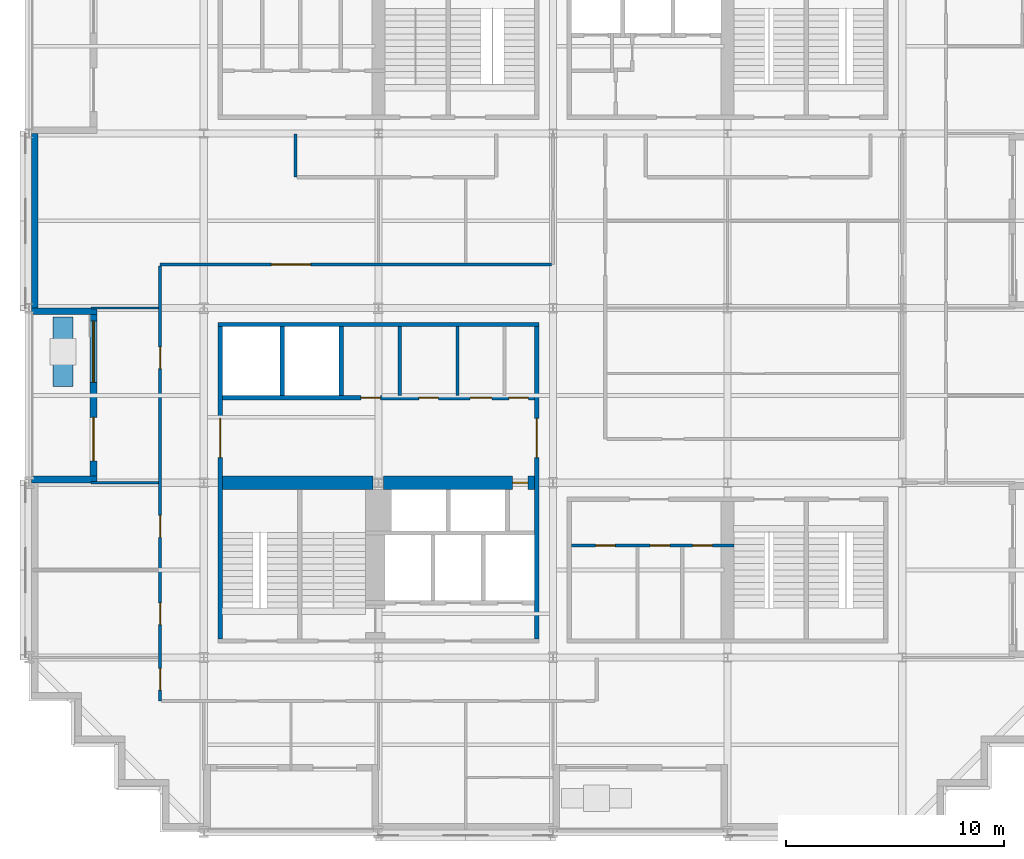
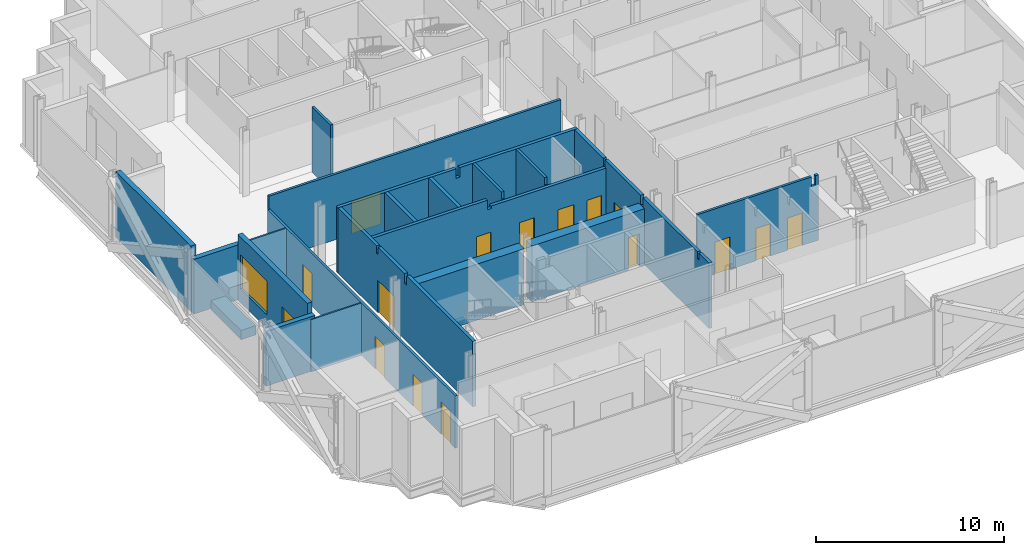
# One storey, part 6 of 15: 21 walls, 16 doors, 1 window, 17 openings.
"""IFC4 building model written with IfcOpenShell, lengths in metres."""

from ifc_helpers import new_model, si_unit, direction, frame, frame_2d, origin, place, context, subcontext, project, spatial, polyline, rectangle, outline, extrude, material, layer, layer_set, type_object, element, fill, save


model = new_model("IFC4")

# Units and contexts
model_context = context("Model", 3, precision=1e-05, world=origin(), true_north=direction((0.0, 1.0)))
body_context = subcontext(model_context, "Body", "Model", "MODEL_VIEW")
ifc_project = project(units=[si_unit("LENGTHUNIT", "METRE"), si_unit("AREAUNIT", "SQUARE_METRE"), si_unit("VOLUMEUNIT", "CUBIC_METRE"), si_unit("PLANEANGLEUNIT", "RADIAN"), si_unit("MASSUNIT", "GRAM", prefix="KILO")], contexts=[model_context])

# Site, building, storey
site_placement = place(None, origin())
site = spatial("IfcSite", under=ifc_project, at=site_placement, CompositionType="ELEMENT")
building_placement = place(site_placement, origin())
building = spatial("IfcBuilding", under=site, at=building_placement, Name="Immortelle Media Tower", CompositionType="ELEMENT")
storey_placement = place(building_placement, frame((0.0, 0.0, 61.199951171875)))
storey = spatial("IfcBuildingStorey", under=building, at=storey_placement, Name="L10", CompositionType="ELEMENT", Elevation=61.199951171875)

# Wall, opening, door
ifc_material_1 = material(Name="Fire-rated masonry blockwork", Category="masonry")
ifc_layer_1 = layer(ifc_material_1, 0.60009765625)
ifc_layer_set_1 = layer_set([ifc_layer_1], Name="Fire-rated masonry blockwork")
wall_type_1 = type_object("IfcWallType", Name="Core grid-line wall 600", PredefinedType="PARTITIONING", material=ifc_layer_set_1)
wall_1_placement = place(storey_placement, frame((16.237548828125, 16.0, 0.0), z_axis=(0.0, 0.0, 1.0), x_axis=(1.0, 0.0, 0.0)))
wall_1 = element("IfcWall", 1, at=wall_1_placement, inside=storey, type_object=wall_type_1, Name="Core grid-line wall SW", PredefinedType="PARTITIONING", context=body_context, shape_type="SweptSolid", body=[
    extrude(rectangle(XDim=6.912353515625, YDim=0.60009765625, at=frame_2d((3.4560546875, 0.0))), origin(), (0.0, 0.0, 1.0), 3.632080078125),
])
opening_1_placement = place(wall_1_placement, frame((6.612548828125, 0.0, 0.0), z_axis=(0.0, 0.0, 1.0), x_axis=(-1.0, 0.0, 0.0)))
opening_1 = element("IfcOpeningElement", 2, at=opening_1_placement, cuts=wall_1, Name="Opening N3-K013", PredefinedType="OPENING", context=body_context, shape_type="SweptSolid", body=[
    extrude(rectangle(XDim=0.699951171875, YDim=2.10009765625, at=frame_2d((0.35009765625, 1.050048828125))), frame((0.0, 0.31005859375, 0.0), z_axis=(0.0, -1.0, 0.0), x_axis=(1.0, 0.0, 0.0)), (0.0, 0.0, 1.0), 0.6201171875),
])
ifc_material_2 = material(Name="Galvanised steel door leaf and frame ASTM A653", Category="steel")
door_type_1 = type_object("IfcDoorType", Name="Service door 700 x 2100", OperationType="NOTDEFINED", PredefinedType="NOTDEFINED", material=ifc_material_2)
door_1_placement = place(opening_1_placement, origin())
door_1 = element("IfcDoor", 3, at=door_1_placement, inside=storey, type_object=door_type_1, Name="Service N3-K013", OperationType="SINGLE_SWING_RIGHT", OverallHeight=2.10009765625, OverallWidth=0.699951171875, PredefinedType="NOTDEFINED", context=body_context, shape_type="SweptSolid", body=[
    extrude(rectangle(XDim=0.699951171875, YDim=2.10009765625, at=frame_2d((0.35009765625, 1.050048828125))), frame((0.0, 0.02490234375, 0.0), z_axis=(0.0, -1.0, 0.0), x_axis=(1.0, 0.0, 0.0)), (0.0, 0.0, 1.0), 0.050048828125),
])
fill(opening_1, door_1)

# Walls
ifc_material_3 = material(Name="Fire-rated gypsum board", Category="gypsum")
ifc_layer_2 = layer(ifc_material_3, 0.02490234375)
ifc_material_4 = material(Name="Steel ASTM A653 SS Gr 50 stud frame with mineral wool", Category="steel")
ifc_layer_3 = layer(ifc_material_4, 0.10009765625)
ifc_layer_4 = layer(ifc_material_3, 0.02490234375)
ifc_layer_set_2 = layer_set([ifc_layer_2, ifc_layer_3, ifc_layer_4], Name="Steel ASTM A653 SS Gr 50 stud frame with mineral wool")
wall_type_2 = type_object("IfcWallType", Name="Core partition 150", PredefinedType="PARTITIONING", material=ifc_layer_set_2)
for number, where, z_axis, x_axis, name in (
    (4, (16.97509765625, 20.0, 0.0), (0.0, 0.0, 1.0), (0.0, 1.0, 0.0), "Core partition SW"),
    (5, (19.625, 20.0, 0.0), (0.0, 0.0, 1.0), (0.0, 1.0, 0.0), "Core partition SW"),
):
    element("IfcWall", number, at=place(storey_placement, frame(where, z_axis=z_axis, x_axis=x_axis)), inside=storey, type_object=wall_type_2, Name=name, PredefinedType="PARTITIONING", context=body_context, shape_type="SweptSolid", body=[
        extrude(outline(polyline([(0.0, 0.0), (3.14990234375, 0.0), (3.14990234375, 4.25), (0.08154296875, 4.25), (0.08056640625, 3.7890625), (0.0, 3.7890625), (0.0, 0.0)])), frame((0.0, 0.074951171875, 0.0), z_axis=(0.0, -1.0, 0.0), x_axis=(1.0, 0.0, 0.0)), (0.0, 0.0, 1.0), 0.14990234375),
    ])

# Wall, openings, doors
wall_2_placement = place(storey_placement, frame((24.85009765625, 13.125, 0.0), z_axis=(0.0, 0.0, 1.0), x_axis=(1.0, 0.0, 0.0)))
wall_2 = element("IfcWall", 6, at=wall_2_placement, inside=storey, type_object=wall_type_2, Name="Core partition SE", PredefinedType="PARTITIONING", context=body_context, shape_type="SweptSolid", body=[
    extrude(outline(polyline([(0.0, 0.0), (7.449951171875, 0.0), (7.449951171875, 4.25), (7.26953125, 4.25), (7.2685546875, 3.632080078125), (7.031494140625, 3.632080078125), (7.030517578125, 4.25), (0.0, 4.25), (0.0, 0.0)])), frame((0.0, 0.074951171875, 0.0), z_axis=(0.0, -1.0, 0.0), x_axis=(1.0, 0.0, 0.0)), (0.0, 0.0, 1.0), 0.14990234375),
])
opening_2_placement = place(wall_2_placement, frame((2.0, 0.0, 0.0), z_axis=(0.0, 0.0, 1.0), x_axis=(-1.0, 0.0, 0.0)))
opening_2 = element("IfcOpeningElement", 7, at=opening_2_placement, cuts=wall_2, Name="Opening N3-K015", PredefinedType="OPENING", context=body_context, shape_type="SweptSolid", body=[
    extrude(rectangle(XDim=0.89990234375, YDim=2.10009765625, at=frame_2d((0.449951171875, 1.050048828125))), frame((0.0, 0.0849609375, 0.0), z_axis=(0.0, -1.0, 0.0), x_axis=(1.0, 0.0, 0.0)), (0.0, 0.0, 1.0), 0.169921875),
])
opening_3_placement = place(wall_2_placement, frame((4.5, 0.0, 0.0), z_axis=(0.0, 0.0, 1.0), x_axis=(-1.0, 0.0, 0.0)))
opening_3 = element("IfcOpeningElement", 8, at=opening_3_placement, cuts=wall_2, Name="Opening N3-K017", PredefinedType="OPENING", context=body_context, shape_type="SweptSolid", body=[
    extrude(rectangle(XDim=0.89990234375, YDim=2.10009765625, at=frame_2d((0.449951171875, 1.050048828125))), frame((0.0, 0.0849609375, 0.0), z_axis=(0.0, -1.0, 0.0), x_axis=(1.0, 0.0, 0.0)), (0.0, 0.0, 1.0), 0.169921875),
])
opening_4_placement = place(wall_2_placement, frame((6.449951171875, 0.0, 0.0), z_axis=(0.0, 0.0, 1.0), x_axis=(-1.0, 0.0, 0.0)))
opening_4 = element("IfcOpeningElement", 9, at=opening_4_placement, cuts=wall_2, Name="Opening N3-K018", PredefinedType="OPENING", context=body_context, shape_type="SweptSolid", body=[
    extrude(rectangle(XDim=0.89990234375, YDim=2.10009765625, at=frame_2d((0.449951171875, 1.050048828125))), frame((0.0, 0.0849609375, 0.0), z_axis=(0.0, -1.0, 0.0), x_axis=(1.0, 0.0, 0.0)), (0.0, 0.0, 1.0), 0.169921875),
])
ifc_material_5 = material(Name="Timber", Category="wood")
door_type_2 = type_object("IfcDoorType", Name="Room door 900 x 2100", OperationType="NOTDEFINED", PredefinedType="NOTDEFINED", material=ifc_material_5)
door_2_placement = place(opening_2_placement, origin())
door_2 = element("IfcDoor", 10, at=door_2_placement, inside=storey, type_object=door_type_2, Name="Room N3-K015", OperationType="SINGLE_SWING_LEFT", OverallHeight=2.10009765625, OverallWidth=0.89990234375, PredefinedType="NOTDEFINED", context=body_context, shape_type="SweptSolid", body=[
    extrude(rectangle(XDim=0.89990234375, YDim=2.10009765625, at=frame_2d((0.449951171875, 1.050048828125))), frame((0.0, 0.02490234375, 0.0), z_axis=(0.0, -1.0, 0.0), x_axis=(1.0, 0.0, 0.0)), (0.0, 0.0, 1.0), 0.050048828125),
])
fill(opening_2, door_2)
door_3_placement = place(opening_3_placement, origin())
door_3 = element("IfcDoor", 11, at=door_3_placement, inside=storey, type_object=door_type_2, Name="Room N3-K017", OperationType="SINGLE_SWING_RIGHT", OverallHeight=2.10009765625, OverallWidth=0.89990234375, PredefinedType="NOTDEFINED", context=body_context, shape_type="SweptSolid", body=[
    extrude(rectangle(XDim=0.89990234375, YDim=2.10009765625, at=frame_2d((0.449951171875, 1.050048828125))), frame((0.0, 0.02490234375, 0.0), z_axis=(0.0, -1.0, 0.0), x_axis=(1.0, 0.0, 0.0)), (0.0, 0.0, 1.0), 0.050048828125),
])
fill(opening_3, door_3)
door_type_3 = type_object("IfcDoorType", Name="Service door 900 x 2100", OperationType="NOTDEFINED", PredefinedType="NOTDEFINED", material=ifc_material_2)
door_4_placement = place(opening_4_placement, origin())
door_4 = element("IfcDoor", 12, at=door_4_placement, inside=storey, type_object=door_type_3, Name="Service N3-K018", OperationType="SINGLE_SWING_RIGHT", OverallHeight=2.10009765625, OverallWidth=0.89990234375, PredefinedType="NOTDEFINED", context=body_context, shape_type="SweptSolid", body=[
    extrude(rectangle(XDim=0.89990234375, YDim=2.10009765625, at=frame_2d((0.449951171875, 1.050048828125))), frame((0.0, 0.02490234375, 0.0), z_axis=(0.0, -1.0, 0.0), x_axis=(1.0, 0.0, 0.0)), (0.0, 0.0, 1.0), 0.050048828125),
])
fill(opening_4, door_4)

# Wall
ifc_layer_5 = layer(ifc_material_3, 0.03759765625)
ifc_layer_6 = layer(ifc_material_4, 0.125)
ifc_layer_7 = layer(ifc_material_3, 0.03759765625)
ifc_layer_set_3 = layer_set([ifc_layer_5, ifc_layer_6, ifc_layer_7], Name="Steel ASTM A653 SS Gr 50 stud frame with mineral wool")
wall_type_3 = type_object("IfcWallType", Name="Core shaft wall 200", PredefinedType="PARTITIONING", material=ifc_layer_set_3)
wall_3_placement = place(storey_placement, frame((8.64990234375, 23.25, 0.0), z_axis=(0.0, 0.0, 1.0), x_axis=(1.0, 0.0, 0.0)))
element("IfcWall", 13, at=wall_3_placement, inside=storey, type_object=wall_type_3, Name="Core shaft wall SW", PredefinedType="PARTITIONING", context=body_context, shape_type="SweptSolid", body=[
    extrude(outline(polyline([(0.0, 0.0), (14.7001953125, 0.0), (14.699951171875, 4.25), (7.469482421875, 4.25), (7.468505859375, 3.632080078125), (7.2314453125, 3.632080078125), (7.23046875, 4.25), (0.0, 4.25), (0.0, 0.0)])), frame((0.0, 0.10009765625, 0.0), z_axis=(0.0, -1.0, 0.0), x_axis=(1.0, 0.0, 0.0)), (0.0, 0.0, 1.0), 0.199951171875),
])

# Wall, openings, doors
wall_4_placement = place(storey_placement, frame((8.85009765625, 19.89990234375, 0.0), z_axis=(0.0, 0.0, 1.0), x_axis=(1.0, 0.0, 0.0)))
wall_4 = element("IfcWall", 14, at=wall_4_placement, inside=storey, type_object=wall_type_3, Name="Core shaft wall SW", PredefinedType="PARTITIONING", context=body_context, shape_type="SweptSolid", body=[
    extrude(outline(polyline([(0.0, 0.0), (14.2998046875, 0.0), (14.300048828125, 3.7890625), (7.26953125, 3.7890625), (7.2685546875, 3.632080078125), (7.031494140625, 3.632080078125), (7.030517578125, 4.25), (0.0, 4.25), (0.0, 0.0)])), frame((0.0, 0.10009765625, 0.0), z_axis=(0.0, -1.0, 0.0), x_axis=(1.0, 0.0, 0.0)), (0.0, 0.0, 1.0), 0.199951171875),
])
opening_5_placement = place(wall_4_placement, frame((6.35009765625, 0.0, 0.0)))
opening_5 = element("IfcOpeningElement", 15, at=opening_5_placement, cuts=wall_4, Name="Opening N3-K004", PredefinedType="OPENING", context=body_context, shape_type="SweptSolid", body=[
    extrude(rectangle(XDim=0.89990234375, YDim=2.10009765625, at=frame_2d((0.449951171875, 1.050048828125))), frame((0.0, 0.10986328125, 0.0), z_axis=(0.0, -1.0, 0.0), x_axis=(1.0, 0.0, 0.0)), (0.0, 0.0, 1.0), 0.219970703125),
])
opening_6_placement = place(wall_4_placement, frame((9.0, 0.0, 0.0)))
opening_6 = element("IfcOpeningElement", 16, at=opening_6_placement, cuts=wall_4, Name="Opening N3-K007", PredefinedType="OPENING", context=body_context, shape_type="SweptSolid", body=[
    extrude(rectangle(XDim=0.89990234375, YDim=2.10009765625, at=frame_2d((0.449951171875, 1.050048828125))), frame((0.0, 0.10986328125, 0.0), z_axis=(0.0, -1.0, 0.0), x_axis=(1.0, 0.0, 0.0)), (0.0, 0.0, 1.0), 0.219970703125),
])
opening_7_placement = place(wall_4_placement, frame((11.35009765625, 0.0, 0.0)))
opening_7 = element("IfcOpeningElement", 17, at=opening_7_placement, cuts=wall_4, Name="Opening N3-K010", PredefinedType="OPENING", context=body_context, shape_type="SweptSolid", body=[
    extrude(rectangle(XDim=1.0, YDim=2.10009765625, at=frame_2d((0.5, 1.050048828125))), frame((0.0, 0.10986328125, 0.0), z_axis=(0.0, -1.0, 0.0), x_axis=(1.0, 0.0, 0.0)), (0.0, 0.0, 1.0), 0.219970703125),
])
opening_8_placement = place(wall_4_placement, frame((13.125, 0.0, 0.0)))
opening_8 = element("IfcOpeningElement", 18, at=opening_8_placement, cuts=wall_4, Name="Opening N3-K012", PredefinedType="OPENING", context=body_context, shape_type="SweptSolid", body=[
    extrude(rectangle(XDim=0.89990234375, YDim=2.10009765625, at=frame_2d((0.449951171875, 1.050048828125))), frame((0.0, 0.10986328125, 0.0), z_axis=(0.0, -1.0, 0.0), x_axis=(1.0, 0.0, 0.0)), (0.0, 0.0, 1.0), 0.219970703125),
])
door_type_4 = type_object("IfcDoorType", Name="Accessible toilet door 1000 x 2100", OperationType="NOTDEFINED", PredefinedType="NOTDEFINED", material=ifc_material_5)
door_5_placement = place(opening_7_placement, origin())
door_5 = element("IfcDoor", 19, at=door_5_placement, inside=storey, type_object=door_type_4, Name="Accessible toilet N3-K010", OperationType="SINGLE_SWING_LEFT", OverallHeight=2.10009765625, OverallWidth=1.0, PredefinedType="NOTDEFINED", context=body_context, shape_type="SweptSolid", body=[
    extrude(rectangle(XDim=1.0, YDim=2.10009765625, at=frame_2d((0.5, 1.050048828125))), frame((0.0, 0.02490234375, 0.0), z_axis=(0.0, -1.0, 0.0), x_axis=(1.0, 0.0, 0.0)), (0.0, 0.0, 1.0), 0.050048828125),
])
fill(opening_7, door_5)
door_6_placement = place(opening_8_placement, origin())
door_6 = element("IfcDoor", 20, at=door_6_placement, inside=storey, type_object=door_type_3, Name="Service N3-K012", OperationType="SINGLE_SWING_LEFT", OverallHeight=2.10009765625, OverallWidth=0.89990234375, PredefinedType="NOTDEFINED", context=body_context, shape_type="SweptSolid", body=[
    extrude(rectangle(XDim=0.89990234375, YDim=2.10009765625, at=frame_2d((0.449951171875, 1.050048828125))), frame((0.0, 0.02490234375, 0.0), z_axis=(0.0, -1.0, 0.0), x_axis=(1.0, 0.0, 0.0)), (0.0, 0.0, 1.0), 0.050048828125),
])
fill(opening_8, door_6)
door_type_5 = type_object("IfcDoorType", Name="Toilet door 900 x 2100", OperationType="NOTDEFINED", PredefinedType="NOTDEFINED", material=ifc_material_5)
door_7_placement = place(opening_5_placement, origin())
door_7 = element("IfcDoor", 21, at=door_7_placement, inside=storey, type_object=door_type_5, Name="Toilet N3-K004", OperationType="SINGLE_SWING_LEFT", OverallHeight=2.10009765625, OverallWidth=0.89990234375, PredefinedType="NOTDEFINED", context=body_context, shape_type="SweptSolid", body=[
    extrude(rectangle(XDim=0.89990234375, YDim=2.10009765625, at=frame_2d((0.449951171875, 1.050048828125))), frame((0.0, 0.02490234375, 0.0), z_axis=(0.0, -1.0, 0.0), x_axis=(1.0, 0.0, 0.0)), (0.0, 0.0, 1.0), 0.050048828125),
])
fill(opening_5, door_7)
door_8_placement = place(opening_6_placement, origin())
door_8 = element("IfcDoor", 22, at=door_8_placement, inside=storey, type_object=door_type_5, Name="Toilet N3-K007", OperationType="SINGLE_SWING_LEFT", OverallHeight=2.10009765625, OverallWidth=0.89990234375, PredefinedType="NOTDEFINED", context=body_context, shape_type="SweptSolid", body=[
    extrude(rectangle(XDim=0.89990234375, YDim=2.10009765625, at=frame_2d((0.449951171875, 1.050048828125))), frame((0.0, 0.02490234375, 0.0), z_axis=(0.0, -1.0, 0.0), x_axis=(1.0, 0.0, 0.0)), (0.0, 0.0, 1.0), 0.050048828125),
])
fill(opening_6, door_8)

# Walls
for number, where, z_axis, x_axis, name in (
    (23, (11.60009765625, 20.0, 0.0), (0.0, 0.0, 1.0), (0.0, 1.0, 0.0), "Core shaft wall SW"),
    (24, (14.300048828125, 20.0, 0.0), (0.0, 0.0, 1.0), (0.0, 1.0, 0.0), "Core shaft wall SW"),
):
    element("IfcWall", number, at=place(storey_placement, frame(where, z_axis=z_axis, x_axis=x_axis)), inside=storey, type_object=wall_type_3, Name=name, PredefinedType="PARTITIONING", context=body_context, shape_type="SweptSolid", body=[
        extrude(rectangle(XDim=3.14990234375, YDim=0.199951171875, at=frame_2d((1.574951171875, 0.0))), origin(), (0.0, 0.0, 1.0), 4.25),
    ])

# Wall, opening, door
wall_5_placement = place(storey_placement, frame((23.25, 8.85009765625, 0.0), z_axis=(0.0, 0.0, 1.0), x_axis=(0.0, 1.0, 0.0)))
wall_5 = element("IfcWall", 25, at=wall_5_placement, inside=storey, type_object=wall_type_3, Name="Core shaft wall SW", PredefinedType="PARTITIONING", context=body_context, shape_type="SweptSolid", body=[
    extrude(outline(polyline([(0.0, 0.0), (14.2998046875, 0.0), (14.300048828125, 4.25), (11.2314453125, 4.25), (11.23046875, 3.7890625), (11.069580078125, 3.7890625), (11.068603515625, 4.25), (7.26953125, 4.25), (7.2685546875, 3.632080078125), (7.031494140625, 3.632080078125), (7.030517578125, 4.25), (1.2314453125, 4.25), (1.23046875, 3.7890625), (1.069580078125, 3.7890625), (1.068603515625, 4.25), (0.0, 4.25), (0.0, 0.0)])), frame((0.0, 0.10009765625, 0.0), z_axis=(0.0, -1.0, 0.0), x_axis=(1.0, 0.0, 0.0)), (0.0, 0.0, 1.0), 0.199951171875),
])
opening_9_placement = place(wall_5_placement, frame((8.300048828125, 0.0, 0.0)))
opening_9 = element("IfcOpeningElement", 26, at=opening_9_placement, cuts=wall_5, Name="Opening N3-K014", PredefinedType="OPENING", context=body_context, shape_type="SweptSolid", body=[
    extrude(rectangle(XDim=1.800048828125, YDim=2.10009765625, at=frame_2d((0.89990234375, 1.050048828125))), frame((0.0, 0.10986328125, 0.0), z_axis=(0.0, -1.0, 0.0), x_axis=(1.0, 0.0, 0.0)), (0.0, 0.0, 1.0), 0.219970703125),
])
door_type_6 = type_object("IfcDoorType", Name="Lift lobby door 1800 x 2100", OperationType="DOUBLE_DOOR_SINGLE_SWING", PredefinedType="NOTDEFINED", material=ifc_material_2)
door_9_placement = place(opening_9_placement, origin())
door_9 = element("IfcDoor", 27, at=door_9_placement, inside=storey, type_object=door_type_6, Name="Lift lobby N3-K014", OperationType="DOUBLE_DOOR_SINGLE_SWING", OverallHeight=2.10009765625, OverallWidth=1.800048828125, PredefinedType="NOTDEFINED", context=body_context, shape_type="SweptSolid", body=[
    extrude(rectangle(XDim=1.800048828125, YDim=2.10009765625, at=frame_2d((0.89990234375, 1.050048828125))), frame((0.0, 0.02490234375, 0.0), z_axis=(0.0, -1.0, 0.0), x_axis=(1.0, 0.0, 0.0)), (0.0, 0.0, 1.0), 0.050048828125),
])
fill(opening_9, door_9)

# Wall, openings, doors
ifc_layer_8 = layer(ifc_material_3, 0.012451171875)
ifc_layer_9 = layer(ifc_material_4, 0.125)
ifc_layer_10 = layer(ifc_material_3, 0.012451171875)
ifc_layer_set_4 = layer_set([ifc_layer_8, ifc_layer_9, ifc_layer_10], Name="Steel ASTM A653 SS Gr 50 stud frame with mineral wool")
wall_type_4 = type_object("IfcWallType", Name="Corridor wall 150", PredefinedType="PARTITIONING", material=ifc_layer_set_4)
wall_6_placement = place(storey_placement, frame((6.0, 6.0, 0.0), z_axis=(0.0, 0.0, 1.0), x_axis=(0.0, 1.0, 0.0)))
wall_6 = element("IfcWall", 28, at=wall_6_placement, inside=storey, type_object=wall_type_4, Name="Partition L10-009", PredefinedType="PARTITIONING", context=body_context, shape_type="SweptSolid", body=[
    extrude(rectangle(XDim=19.925048828125, YDim=0.14990234375, at=frame_2d((9.96240234375, 0.0))), origin(), (0.0, 0.0, 1.0), 3.39111328125),
])
opening_10_placement = place(wall_6_placement, frame((0.5, 0.0, 0.0)))
opening_10 = element("IfcOpeningElement", 29, at=opening_10_placement, cuts=wall_6, Name="Opening N3-F007", PredefinedType="OPENING", context=body_context, shape_type="SweptSolid", body=[
    extrude(rectangle(XDim=1.0, YDim=2.10009765625, at=frame_2d((0.5, 1.050048828125))), frame((0.0, 0.0849609375, 0.0), z_axis=(0.0, -1.0, 0.0), x_axis=(1.0, 0.0, 0.0)), (0.0, 0.0, 1.0), 0.169921875),
])
opening_11_placement = place(wall_6_placement, frame((3.5, 0.0, 0.0)))
opening_11 = element("IfcOpeningElement", 30, at=opening_11_placement, cuts=wall_6, Name="Opening N3-F008", PredefinedType="OPENING", context=body_context, shape_type="SweptSolid", body=[
    extrude(rectangle(XDim=1.0, YDim=2.10009765625, at=frame_2d((0.5, 1.050048828125))), frame((0.0, 0.0849609375, 0.0), z_axis=(0.0, -1.0, 0.0), x_axis=(1.0, 0.0, 0.0)), (0.0, 0.0, 1.0), 0.169921875),
])
opening_12_placement = place(wall_6_placement, frame((7.5, 0.0, 0.0)))
opening_12 = element("IfcOpeningElement", 31, at=opening_12_placement, cuts=wall_6, Name="Opening N3-F009", PredefinedType="OPENING", context=body_context, shape_type="SweptSolid", body=[
    extrude(rectangle(XDim=1.0, YDim=2.10009765625, at=frame_2d((0.5, 1.050048828125))), frame((0.0, 0.0849609375, 0.0), z_axis=(0.0, -1.0, 0.0), x_axis=(1.0, 0.0, 0.0)), (0.0, 0.0, 1.0), 0.169921875),
])
opening_13_placement = place(wall_6_placement, frame((15.22509765625, 0.0, 0.0)))
opening_13 = element("IfcOpeningElement", 32, at=opening_13_placement, cuts=wall_6, Name="Opening N3-F011", PredefinedType="OPENING", context=body_context, shape_type="SweptSolid", body=[
    extrude(rectangle(XDim=1.0, YDim=2.10009765625, at=frame_2d((0.5, 1.050048828125))), frame((0.0, 0.0849609375, 0.0), z_axis=(0.0, -1.0, 0.0), x_axis=(1.0, 0.0, 0.0)), (0.0, 0.0, 1.0), 0.169921875),
])
ifc_material_6 = material(Name="Timber veneered door leaf, galvanised steel frame ASTM A653", Category="steel")
door_type_7 = type_object("IfcDoorType", Name="Room door 1000 x 2100", OperationType="NOTDEFINED", PredefinedType="DOOR", material=ifc_material_6)
door_10_placement = place(opening_10_placement, origin())
door_10 = element("IfcDoor", 33, at=door_10_placement, inside=storey, type_object=door_type_7, Name="Door N3-F007", OperationType="SINGLE_SWING_RIGHT", OverallHeight=2.10009765625, OverallWidth=1.0, PredefinedType="DOOR", context=body_context, shape_type="SweptSolid", body=[
    extrude(rectangle(XDim=1.0, YDim=2.10009765625, at=frame_2d((0.5, 1.050048828125))), frame((0.0, 0.02490234375, 0.0), z_axis=(0.0, -1.0, 0.0), x_axis=(1.0, 0.0, 0.0)), (0.0, 0.0, 1.0), 0.050048828125),
])
fill(opening_10, door_10)
door_11_placement = place(opening_11_placement, origin())
door_11 = element("IfcDoor", 34, at=door_11_placement, inside=storey, type_object=door_type_7, Name="Door N3-F008", OperationType="SINGLE_SWING_LEFT", OverallHeight=2.10009765625, OverallWidth=1.0, PredefinedType="DOOR", context=body_context, shape_type="SweptSolid", body=[
    extrude(rectangle(XDim=1.0, YDim=2.10009765625, at=frame_2d((0.5, 1.050048828125))), frame((0.0, 0.02490234375, 0.0), z_axis=(0.0, -1.0, 0.0), x_axis=(1.0, 0.0, 0.0)), (0.0, 0.0, 1.0), 0.050048828125),
])
fill(opening_11, door_11)
door_12_placement = place(opening_12_placement, origin())
door_12 = element("IfcDoor", 35, at=door_12_placement, inside=storey, type_object=door_type_7, Name="Door N3-F009", OperationType="SINGLE_SWING_RIGHT", OverallHeight=2.10009765625, OverallWidth=1.0, PredefinedType="DOOR", context=body_context, shape_type="SweptSolid", body=[
    extrude(rectangle(XDim=1.0, YDim=2.10009765625, at=frame_2d((0.5, 1.050048828125))), frame((0.0, 0.02490234375, 0.0), z_axis=(0.0, -1.0, 0.0), x_axis=(1.0, 0.0, 0.0)), (0.0, 0.0, 1.0), 0.050048828125),
])
fill(opening_12, door_12)
door_13_placement = place(opening_13_placement, origin())
door_13 = element("IfcDoor", 36, at=door_13_placement, inside=storey, type_object=door_type_7, Name="Door N3-F011", OperationType="SINGLE_SWING_RIGHT", OverallHeight=2.10009765625, OverallWidth=1.0, PredefinedType="DOOR", context=body_context, shape_type="SweptSolid", body=[
    extrude(rectangle(XDim=1.0, YDim=2.10009765625, at=frame_2d((0.5, 1.050048828125))), frame((0.0, 0.02490234375, 0.0), z_axis=(0.0, -1.0, 0.0), x_axis=(1.0, 0.0, 0.0)), (0.0, 0.0, 1.0), 0.050048828125),
])
fill(opening_13, door_13)

# Wall, opening, door
wall_7_placement = place(storey_placement, frame((6.0, 26.0, 0.0), z_axis=(0.0, 0.0, 1.0), x_axis=(1.0, 0.0, 0.0)))
wall_7 = element("IfcWall", 37, at=wall_7_placement, inside=storey, type_object=wall_type_4, Name="Partition L10-030", PredefinedType="PARTITIONING", context=body_context, shape_type="SweptSolid", body=[
    extrude(rectangle(XDim=17.925048828125, YDim=0.14990234375, at=frame_2d((8.96240234375, 0.0))), origin(), (0.0, 0.0, 1.0), 4.25),
])
opening_14_placement = place(wall_7_placement, frame((5.10009765625, 0.0, 0.0)))
opening_14 = element("IfcOpeningElement", 38, at=opening_14_placement, cuts=wall_7, Name="Opening N3-F025", PredefinedType="OPENING", context=body_context, shape_type="SweptSolid", body=[
    extrude(rectangle(XDim=1.800048828125, YDim=2.10009765625, at=frame_2d((0.89990234375, 1.050048828125))), frame((0.0, 0.0849609375, 0.0), z_axis=(0.0, -1.0, 0.0), x_axis=(1.0, 0.0, 0.0)), (0.0, 0.0, 1.0), 0.169921875),
])
door_type_8 = type_object("IfcDoorType", Name="Room door 1800 x 2100", OperationType="DOUBLE_DOOR_SINGLE_SWING", PredefinedType="DOOR", material=ifc_material_6)
door_14_placement = place(opening_14_placement, origin())
door_14 = element("IfcDoor", 39, at=door_14_placement, inside=storey, type_object=door_type_8, Name="Door N3-F025", OperationType="DOUBLE_DOOR_SINGLE_SWING", OverallHeight=2.10009765625, OverallWidth=1.800048828125, PredefinedType="DOOR", context=body_context, shape_type="SweptSolid", body=[
    extrude(rectangle(XDim=1.800048828125, YDim=2.10009765625, at=frame_2d((0.89990234375, 1.050048828125))), frame((0.0, 0.02490234375, 0.0), z_axis=(0.0, -1.0, 0.0), x_axis=(1.0, 0.0, 0.0)), (0.0, 0.0, 1.0), 0.050048828125),
])
fill(opening_14, door_14)

# Walls
wall_8_placement = place(storey_placement, frame((12.199951171875, 30.0, 0.0), z_axis=(0.0, 0.0, 1.0), x_axis=(0.0, 1.0, 0.0)))
element("IfcWall", 40, at=wall_8_placement, inside=storey, type_object=wall_type_4, Name="Partition L10-040", PredefinedType="PARTITIONING", context=body_context, shape_type="SweptSolid", body=[
    extrude(rectangle(XDim=1.969970703125, YDim=0.14990234375, at=frame_2d((0.98486328125, 0.0))), origin(), (0.0, 0.0, 1.0), 4.25),
])
ifc_material_7 = material(Name="Pale aluminium cladding panel", Category="aluminium")
ifc_layer_11 = layer(ifc_material_7, 0.030029296875)
ifc_layer_12 = layer(ifc_material_4, 0.257568359375)
ifc_material_8 = material(Name="Moisture-resistant gypsum board", Category="gypsum")
ifc_layer_13 = layer(ifc_material_8, 0.012451171875)
ifc_layer_set_5 = layer_set([ifc_layer_11, ifc_layer_12, ifc_layer_13], Name="Steel ASTM A653 SS Gr 50 stud frame with mineral wool")
wall_type_5 = type_object("IfcWallType", Name="Facade wall 300", PredefinedType="SOLIDWALL", material=ifc_layer_set_5)
wall_9_placement = place(storey_placement, frame((0.25, 32.0, 0.0), z_axis=(0.0, 0.0, 1.0), x_axis=(0.0, -1.0, 0.0)))
element("IfcWall", 41, at=wall_9_placement, inside=storey, type_object=wall_type_5, Name="Facade wall L10 W0", PredefinedType="SOLIDWALL", context=body_context, shape_type="SweptSolid", body=[
    extrude(rectangle(XDim=8.0, YDim=0.300048828125, at=frame_2d((4.0, 0.0))), origin(), (0.0, 0.0, 1.0), 4.25),
])

# Wall, openings, door, window
wall_10_placement = place(storey_placement, frame((2.949951171875, 23.699951171875, 0.0), z_axis=(0.0, 0.0, 1.0), x_axis=(0.0, -1.0, 0.0)))
wall_10 = element("IfcWall", 42, at=wall_10_placement, inside=storey, type_object=wall_type_5, Name="Loggia wall L10 W0", PredefinedType="SOLIDWALL", context=body_context, shape_type="SweptSolid", body=[
    extrude(rectangle(XDim=7.39990234375, YDim=0.300048828125, at=frame_2d((3.699951171875, 0.0))), origin(), (0.0, 0.0, 1.0), 4.25),
])
opening_15_placement = place(wall_10_placement, frame((0.300048828125, 0.0, 0.89990234375)))
opening_15 = element("IfcOpeningElement", 43, at=opening_15_placement, cuts=wall_10, Name="Opening W1", PredefinedType="OPENING", context=body_context, shape_type="SweptSolid", body=[
    extrude(rectangle(XDim=2.800048828125, YDim=2.199951171875, at=frame_2d((1.39990234375, 1.10009765625))), frame((0.0, 0.159912109375, 0.0), z_axis=(0.0, -1.0, 0.0), x_axis=(1.0, 0.0, 0.0)), (0.0, 0.0, 1.0), 0.320068359375),
])
opening_16_placement = place(wall_10_placement, frame((4.699951171875, 0.0, 0.0)))
opening_16 = element("IfcOpeningElement", 44, at=opening_16_placement, cuts=wall_10, Name="Opening N3-E002", PredefinedType="OPENING", context=body_context, shape_type="SweptSolid", body=[
    extrude(rectangle(XDim=2.0, YDim=2.39990234375, at=frame_2d((1.0, 1.199951171875))), frame((0.0, 0.159912109375, 0.0), z_axis=(0.0, -1.0, 0.0), x_axis=(1.0, 0.0, 0.0)), (0.0, 0.0, 1.0), 0.320068359375),
])
ifc_material_9 = material(Name="Aluminium frame, glazed leaves", Category="aluminium")
door_type_9 = type_object("IfcDoorType", Name="Loggia door 2000 x 2400", OperationType="DOUBLE_DOOR_SINGLE_SWING", PredefinedType="DOOR", material=ifc_material_9)
door_15_placement = place(opening_16_placement, origin())
door_15 = element("IfcDoor", 45, at=door_15_placement, inside=storey, type_object=door_type_9, Name="Door N3-E002", OperationType="DOUBLE_DOOR_SINGLE_SWING", OverallHeight=2.39990234375, OverallWidth=2.0, PredefinedType="DOOR", context=body_context, shape_type="SweptSolid", body=[
    extrude(rectangle(XDim=2.0, YDim=2.39990234375, at=frame_2d((1.0, 1.199951171875))), frame((0.0, 0.02490234375, 0.0), z_axis=(0.0, -1.0, 0.0), x_axis=(1.0, 0.0, 0.0)), (0.0, 0.0, 1.0), 0.050048828125),
])
fill(opening_16, door_15)
ifc_material_10 = material(Name="Aluminium frame", Category="aluminium")
window_type = type_object("IfcWindowType", Name="Window 2800 x 2200", PartitioningType="SINGLE_PANEL", PredefinedType="WINDOW", material=ifc_material_10)
window_placement = place(opening_15_placement, origin())
window = element("IfcWindow", 46, at=window_placement, inside=storey, type_object=window_type, Name="Window L10 L10-R0-B2", OverallHeight=2.199951171875, OverallWidth=2.800048828125, PartitioningType="SINGLE_PANEL", PredefinedType="WINDOW", context=body_context, shape_type="SweptSolid", body=[
    extrude(rectangle(XDim=2.800048828125, YDim=2.199951171875, at=frame_2d((1.39990234375, 1.10009765625))), frame((0.0, 0.030029296875, 0.0), z_axis=(0.0, -1.0, 0.0), x_axis=(1.0, 0.0, 0.0)), (0.0, 0.0, 1.0), 0.06005859375),
])
fill(opening_15, window)

# Walls
for number, where, z_axis, x_axis, name in (
    (47, (0.10009765625, 23.85009765625, 0.0), (0.0, 0.0, 1.0), (1.0, 0.0, 0.0), "Loggia cheek wall L10 W"),
    (48, (0.10009765625, 16.14990234375, 0.0), (0.0, 0.0, 1.0), (1.0, 0.0, 0.0), "Loggia cheek wall L10 W"),
):
    element("IfcWall", number, at=place(storey_placement, frame(where, z_axis=z_axis, x_axis=x_axis)), inside=storey, type_object=wall_type_5, Name=name, PredefinedType="SOLIDWALL", context=body_context, shape_type="SweptSolid", body=[
        extrude(rectangle(XDim=3.0, YDim=0.300048828125, at=frame_2d((1.5, 0.0))), origin(), (0.0, 0.0, 1.0), 3.55615234375),
    ])
ifc_material_11 = material(Name="Gypsum board", Category="gypsum")
ifc_layer_14 = layer(ifc_material_11, 0.012451171875)
ifc_layer_15 = layer(ifc_material_4, 0.074951171875)
ifc_layer_16 = layer(ifc_material_11, 0.012451171875)
ifc_layer_set_6 = layer_set([ifc_layer_14, ifc_layer_15, ifc_layer_16], Name="Steel ASTM A653 SS Gr 50 stud frame with mineral wool")
wall_type_6 = type_object("IfcWallType", Name="Partition 100", PredefinedType="PARTITIONING", material=ifc_layer_set_6)
for number, where, z_axis, x_axis, name in (
    (49, (2.830078125, 16.0, 0.0), (0.0, 0.0, 1.0), (1.0, 0.0, 0.0), "Partition L10-014"),
    (50, (2.830078125, 24.0, 0.0), (0.0, 0.0, 1.0), (1.0, 0.0, 0.0), "Partition L10-023"),
):
    element("IfcWall", number, at=place(storey_placement, frame(where, z_axis=z_axis, x_axis=x_axis)), inside=storey, type_object=wall_type_6, Name=name, PredefinedType="PARTITIONING", context=body_context, shape_type="SweptSolid", body=[
        extrude(rectangle(XDim=3.094970703125, YDim=0.10009765625, at=frame_2d((1.54736328125, 0.0))), origin(), (0.0, 0.0, 1.0), 3.39111328125),
    ])
ifc_layer_17 = layer(ifc_material_7, 0.0029296875)
ifc_material_12 = material(Name="Steel ASTM A572 Gr 50 planter shell", Category="steel")
ifc_layer_18 = layer(ifc_material_12, 0.011962890625)
ifc_material_13 = material(Name="Planting substrate", Category="soil")
ifc_layer_19 = layer(ifc_material_13, 0.873046875)
ifc_layer_20 = layer(ifc_material_12, 0.011962890625)
ifc_layer_set_7 = layer_set([ifc_layer_17, ifc_layer_18, ifc_layer_19, ifc_layer_20], Name="Steel ASTM A572 Gr 50 planter shell")
wall_type_7 = type_object("IfcWallType", Name="Planter wall 900", PredefinedType="SOLIDWALL", material=ifc_layer_set_7)
wall_11_placement = place(storey_placement, frame((1.550048828125, 23.60009765625, 0.0), z_axis=(0.0, 0.0, 1.0), x_axis=(0.0, -1.0, 0.0)))
element("IfcWall", 51, at=wall_11_placement, inside=storey, type_object=wall_type_7, Name="Planter L10 W2", PredefinedType="SOLIDWALL", context=body_context, shape_type="SweptSolid", body=[
    extrude(rectangle(XDim=3.2001953125, YDim=0.89990234375, at=frame_2d((1.60009765625, 0.0))), origin(), (0.0, 0.0, 1.0), 0.60009765625),
])

# Wall, opening, door
ifc_material_14 = material(Name="Concrete C60", Category="concrete")
ifc_layer_21 = layer(ifc_material_14, 0.199951171875)
ifc_layer_set_8 = layer_set([ifc_layer_21], Name="Concrete C60")
wall_type_8 = type_object("IfcWallType", Name="Stair shaft wall 200", PredefinedType="PARTITIONING", material=ifc_layer_set_8)
wall_12_placement = place(storey_placement, frame((8.75, 8.85009765625, 0.0), z_axis=(0.0, 0.0, 1.0), x_axis=(0.0, 1.0, 0.0)))
wall_12 = element("IfcWall", 52, at=wall_12_placement, inside=storey, type_object=wall_type_8, Name="Stair shaft wall SW", PredefinedType="PARTITIONING", context=body_context, shape_type="SweptSolid", body=[
    extrude(outline(polyline([(0.0, 0.0), (14.2998046875, 0.0), (14.300048828125, 4.25), (10.2314453125, 4.25), (10.23046875, 3.7890625), (10.069580078125, 3.7890625), (10.068603515625, 4.25), (7.26953125, 4.25), (7.2685546875, 3.632080078125), (7.031494140625, 3.632080078125), (7.030517578125, 4.25), (0.0, 4.25), (0.0, 0.0)])), frame((0.0, 0.10009765625, 0.0), z_axis=(0.0, -1.0, 0.0), x_axis=(1.0, 0.0, 0.0)), (0.0, 0.0, 1.0), 0.199951171875),
])
opening_17_placement = place(wall_12_placement, frame((8.300048828125, 0.0, 0.0)))
opening_17 = element("IfcOpeningElement", 53, at=opening_17_placement, cuts=wall_12, Name="Opening N3-K001", PredefinedType="OPENING", context=body_context, shape_type="SweptSolid", body=[
    extrude(rectangle(XDim=1.800048828125, YDim=2.10009765625, at=frame_2d((0.89990234375, 1.050048828125))), frame((0.0, 0.10986328125, 0.0), z_axis=(0.0, -1.0, 0.0), x_axis=(1.0, 0.0, 0.0)), (0.0, 0.0, 1.0), 0.219970703125),
])
door_16_placement = place(opening_17_placement, origin())
door_16 = element("IfcDoor", 54, at=door_16_placement, inside=storey, type_object=door_type_6, Name="Lift lobby N3-K001", OperationType="DOUBLE_DOOR_SINGLE_SWING", OverallHeight=2.10009765625, OverallWidth=1.800048828125, PredefinedType="NOTDEFINED", context=body_context, shape_type="SweptSolid", body=[
    extrude(rectangle(XDim=1.800048828125, YDim=2.10009765625, at=frame_2d((0.89990234375, 1.050048828125))), frame((0.0, 0.02490234375, 0.0), z_axis=(0.0, -1.0, 0.0), x_axis=(1.0, 0.0, 0.0)), (0.0, 0.0, 1.0), 0.050048828125),
])
fill(opening_17, door_16)

# Wall
ifc_layer_22 = layer(ifc_material_14, 0.60009765625)
ifc_layer_set_9 = layer_set([ifc_layer_22], Name="Concrete C60")
wall_type_9 = type_object("IfcWallType", Name="Stair shaft wall 600", PredefinedType="PARTITIONING", material=ifc_layer_set_9)
wall_13_placement = place(storey_placement, frame((8.85009765625, 16.0, 0.0), z_axis=(0.0, 0.0, 1.0), x_axis=(1.0, 0.0, 0.0)))
element("IfcWall", 55, at=wall_13_placement, inside=storey, type_object=wall_type_9, Name="Stair shaft wall SW", PredefinedType="PARTITIONING", context=body_context, shape_type="SweptSolid", body=[
    extrude(rectangle(XDim=6.912353515625, YDim=0.60009765625, at=frame_2d((3.4560546875, 0.0))), origin(), (0.0, 0.0, 1.0), 3.632080078125),
])

save(model, "model.ifc")
